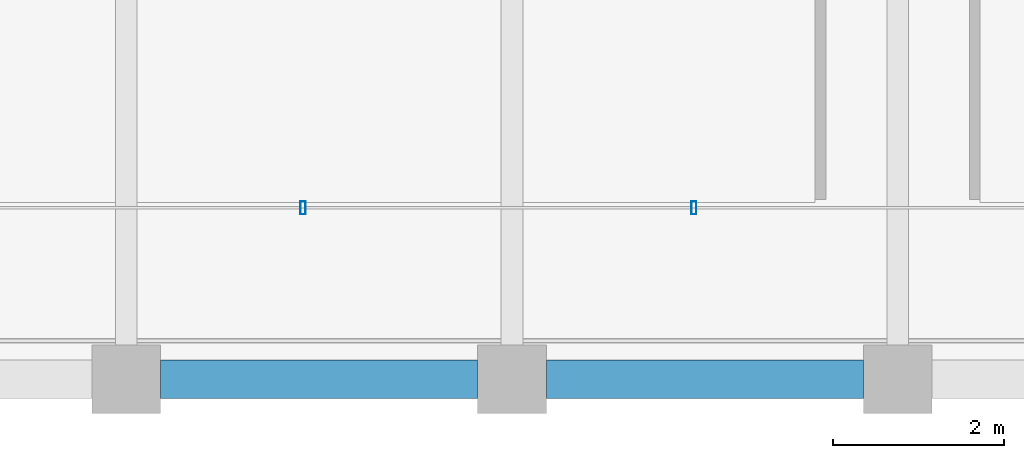
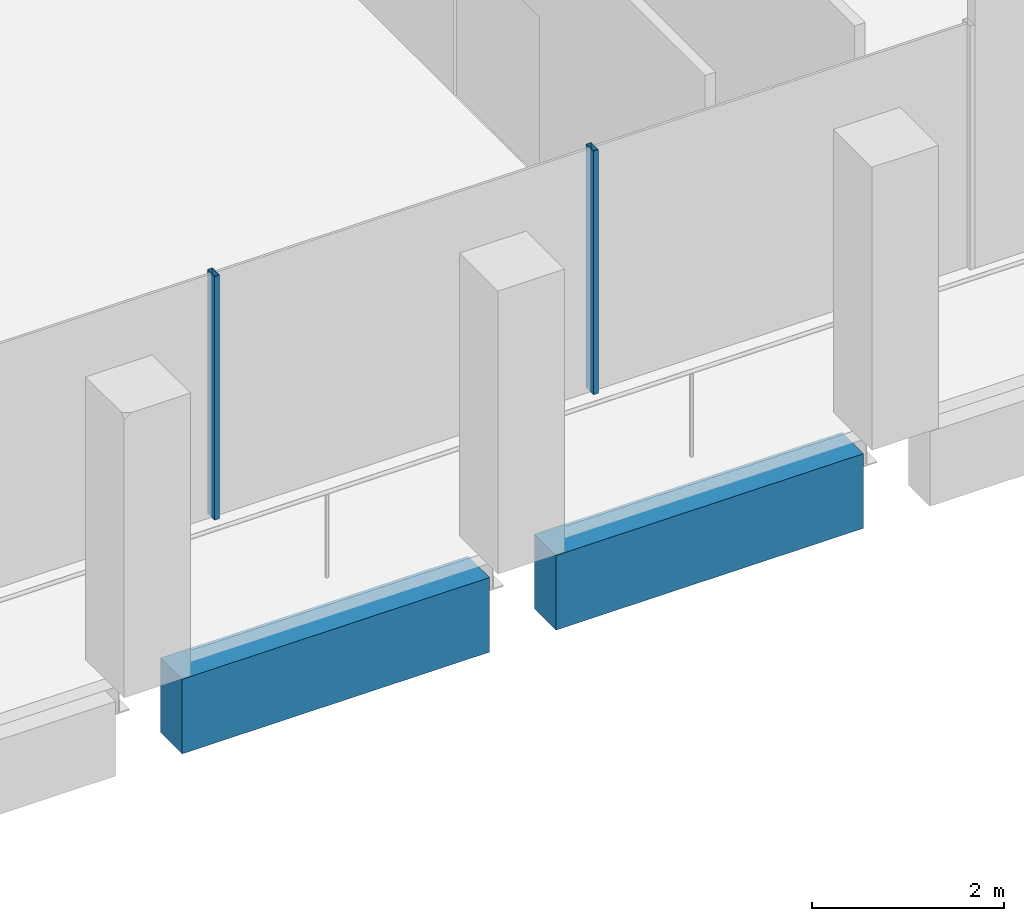
# One storey, part 3 of 41: 2 beams, 2 members, 1 element without a shape of its own.
"""IFC4 building model written with IfcOpenShell, lengths in metres."""

from ifc_helpers import new_model, si_unit, direction, frame, origin, origin_2d, place, context, subcontext, project, spatial, rectangle, hollow_rectangle, extrude, material, material_profile, profile_set, type_object, element, aggregate, save


model = new_model("IFC4")

# Units and contexts
model_context = context("Model", 3, precision=1e-05, world=origin(), true_north=direction((0.0, 1.0)))
body_context = subcontext(model_context, "Body", "Model", "MODEL_VIEW")
ifc_project = project(units=[si_unit("LENGTHUNIT", "METRE"), si_unit("AREAUNIT", "SQUARE_METRE"), si_unit("VOLUMEUNIT", "CUBIC_METRE"), si_unit("PLANEANGLEUNIT", "RADIAN"), si_unit("MASSUNIT", "GRAM", prefix="KILO")], contexts=[model_context])

# Site, building, storey
site_placement = place(None, origin())
site = spatial("IfcSite", under=ifc_project, at=site_placement, CompositionType="ELEMENT")
building_placement = place(site_placement, origin())
building = spatial("IfcBuilding", under=site, at=building_placement, Name="Altepetl Exchange Towers", CompositionType="ELEMENT")
storey_placement = place(building_placement, frame((0.0, 0.0, 206.39990234375)))
storey = spatial("IfcBuildingStorey", under=building, at=storey_placement, Name="L52", CompositionType="ELEMENT", Elevation=206.39990234375)

# Curtain wall, members
ifc_material_1 = material(Name="Aluminium 6063-T6 glazing", Category="aluminium")
curtain_wall_type = type_object("IfcCurtainWallType", Name="Loggia glazing system", PredefinedType="NOTDEFINED", material=ifc_material_1)
curtain_wall_placement = place(storey_placement, origin())
curtain_wall = element("IfcCurtainWall", 1, at=curtain_wall_placement, inside=storey, type_object=curtain_wall_type, Name="CW1 run", PredefinedType="NOTDEFINED")
ifc_material_2 = material(Name="Aluminium 6063-T6", Category="aluminium")
ifc_material_profile_1 = material_profile(ifc_material_2, hollow_rectangle(XDim=0.06005859375, YDim=0.14990234375, WallThickness=0.0029296875, at=origin_2d()), Name="Mullion 60x150 aluminium")
ifc_profile_set_1 = profile_set([ifc_material_profile_1], Name="Aluminium 6063-T6")
member_type = type_object("IfcMemberType", Name="Mullion 60x150 aluminium", PredefinedType="MULLION", material=ifc_profile_set_1)
member_1_placement = place(storey_placement, frame((38.060791015625, 29.0, 0.0)))
member_1 = element("IfcMember", 2, at=member_1_placement, type_object=member_type, Name="MU1 mullion", PredefinedType="MULLION", context=body_context, shape_type="SweptSolid", body=[
    extrude(hollow_rectangle(XDim=0.06005859375, YDim=0.14990234375, WallThickness=0.0029296875, at=origin_2d()), origin(), (0.0, 0.0, 1.0), 3.10009765625),
])
member_2_placement = place(storey_placement, frame((42.621337890625, 29.0, 0.0)))
member_2 = element("IfcMember", 3, at=member_2_placement, type_object=member_type, Name="MU1 mullion", PredefinedType="MULLION", context=body_context, shape_type="SweptSolid", body=[
    extrude(hollow_rectangle(XDim=0.06005859375, YDim=0.14990234375, WallThickness=0.0029296875, at=origin_2d()), origin(), (0.0, 0.0, 1.0), 3.10009765625),
])
aggregate(curtain_wall, [member_1, member_2])

# Beams
ifc_material_3 = material(Name="Concrete C50/60 precast with cantera blanca facing", Category="concrete")
ifc_material_profile_2 = material_profile(ifc_material_3, rectangle(XDim=0.449951171875, YDim=0.949951171875, at=origin_2d()), Name="450 x 950")
ifc_profile_set_2 = profile_set([ifc_material_profile_2], Name="Concrete C50/60 precast with cantera blanca facing")
beam_type = type_object("IfcBeamType", Name="Spandrel beam 450x950 cantera blanca", PredefinedType="SPANDREL", material=ifc_profile_set_2)
for number, where, z_axis, x_axis, name in (
    (4, (36.39990234375, 27.0, -0.625), (1.0, 0.0, 0.0), (0.0, 1.0, 0.0), "sp:A:L52:001"),
    (5, (40.89990234375, 27.0, -0.625), (1.0, 0.0, 0.0), (0.0, 1.0, 0.0), "sp:A:L52:002"),
):
    element("IfcBeam", number, at=place(storey_placement, frame(where, z_axis=z_axis, x_axis=x_axis)), inside=storey, type_object=beam_type, Name=name, PredefinedType="SPANDREL", context=body_context, shape_type="SweptSolid", body=[
        extrude(rectangle(XDim=0.449951171875, YDim=0.949951171875, at=origin_2d()), origin(), (0.0, 0.0, 1.0), 3.7001953125),
    ])

save(model, "model.ifc")
